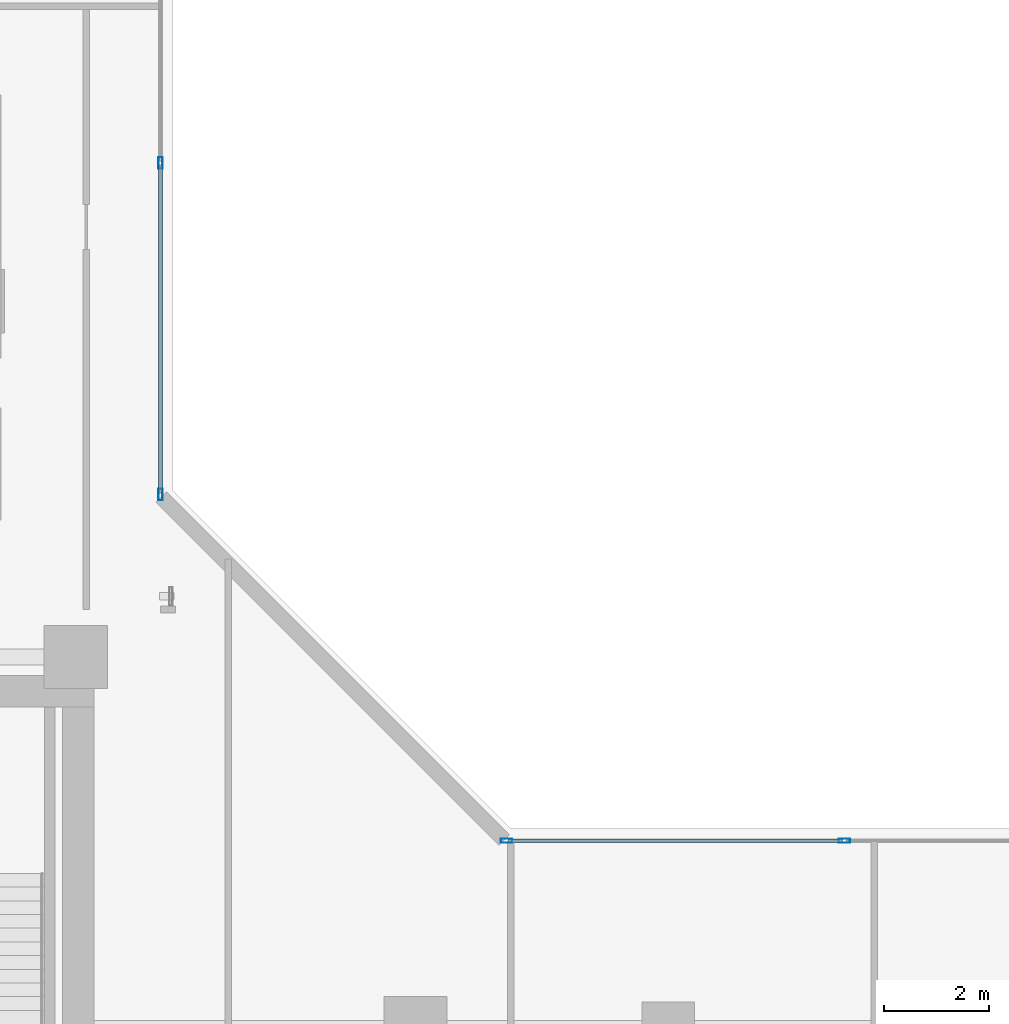
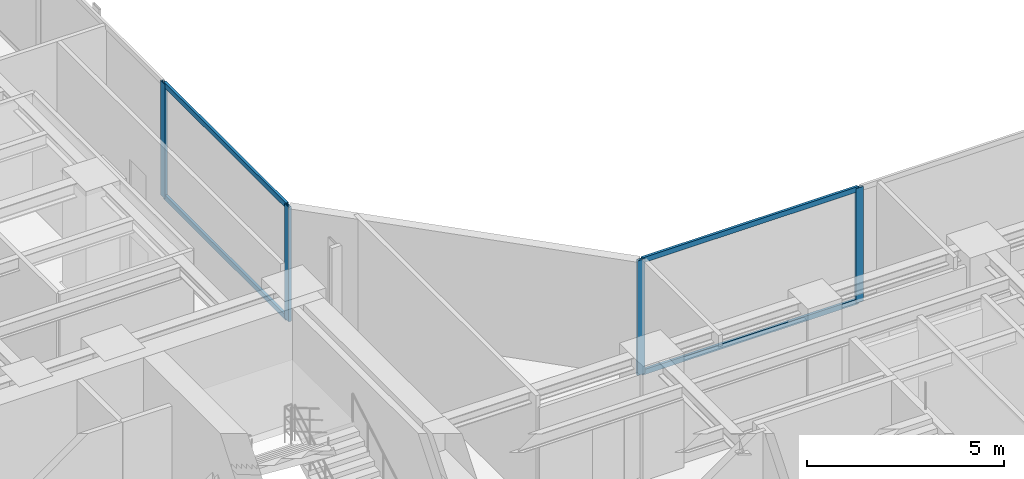
# One storey, part 9 of 23: 8 members, 2 elements without a shape of their own.
"""IFC4 building model written with IfcOpenShell, lengths in metres."""

import ifcopenshell
import ifcopenshell.guid

model = None  # the IFC model being written
_history = None  # IfcOwnerHistory: only IFC2X3 demands one
_inside = {}  # id of a spatial element -> (the spatial element, [elements in it])
_under = {}  # id of a project, library or spatial element -> (it, [spatial elements below it])
_declared = {}  # id of a project -> (the project, [libraries it declares])
_typed = {}  # id of a type object -> (the type object, [elements of that type])
_made_of = {}  # id of a material, layer set ... -> (it, [elements and type objects made of it])


def new_model(schema):
    """Start an empty IFC model of exactly this schema.

    Asked for "IFC4X3", IfcOpenShell would pick the latest addendum, in which some entities
    have other attributes; the version numbers below select the first issue.
    IFC2X3 requires an IfcOwnerHistory on every rooted entity: one is made here for all.
    """
    global model, _history
    if schema == "IFC4X3":
        model = ifcopenshell.file(schema_version=(4, 3, 0, 0))
    else:
        model = ifcopenshell.file(schema=schema)
    _inside.clear()
    _under.clear()
    _declared.clear()
    _typed.clear()
    _made_of.clear()
    _history = None
    if model.schema == "IFC2X3":
        org = make("IfcOrganization", Name="unknown")
        user = make(
            "IfcPersonAndOrganization",
            ThePerson=make("IfcPerson", FamilyName="unknown"),
            TheOrganization=org,
        )
        app = make(
            "IfcApplication",
            ApplicationDeveloper=org,
            Version="unknown",
            ApplicationFullName="unknown",
            ApplicationIdentifier="unknown",
        )
        _history = make(
            "IfcOwnerHistory",
            OwningUser=user,
            OwningApplication=app,
            ChangeAction="ADDED",
            CreationDate=0,
        )
    return model


def make(cls, **values):
    """One entity of the class cls with the attributes given. An attribute that is None is left unset."""
    return model.create_entity(
        cls, **{name: value for name, value in values.items() if value is not None}
    )


def rooted(cls, **values):
    """An entity with a GlobalId (a new one), such as an element, a storey or a relation."""
    return make(cls, GlobalId=ifcopenshell.guid.new(), OwnerHistory=_history, **values)


def si_unit(unit_type, name, prefix=None):
    """IfcSIUnit, for example si_unit("LENGTHUNIT", "METRE", prefix="MILLI")."""
    return make("IfcSIUnit", UnitType=unit_type, Prefix=prefix, Name=name)


def assignment(units):
    """IfcUnitAssignment: the units of a project."""
    return None if units is None else make("IfcUnitAssignment", Units=units)


def point(xyz):
    """IfcCartesianPoint."""
    return None if xyz is None else make("IfcCartesianPoint", Coordinates=xyz)


def direction(xyz):
    """IfcDirection."""
    return None if xyz is None else make("IfcDirection", DirectionRatios=xyz)


def frame(location, z_axis=None, x_axis=None):
    """IfcAxis2Placement3D, a coordinate frame: its origin and axes. An axis left out is left unset."""
    return make(
        "IfcAxis2Placement3D",
        Location=point(location),
        Axis=direction(z_axis),
        RefDirection=direction(x_axis),
    )


def frame_2d(location, x_axis=None):
    """IfcAxis2Placement2D, a coordinate frame in the plane: its origin and x axis."""
    return make(
        "IfcAxis2Placement2D", Location=point(location), RefDirection=direction(x_axis)
    )


def origin():
    """The frame at (0, 0, 0) with its axes left unset."""
    return frame((0.0, 0.0, 0.0))


def origin_with_axes():
    """The frame at (0, 0, 0) with the z axis (0, 0, 1) and the x axis (1, 0, 0) written out."""
    return frame((0.0, 0.0, 0.0), z_axis=(0.0, 0.0, 1.0), x_axis=(1.0, 0.0, 0.0))


def origin_2d():
    """The frame at (0, 0) in the plane with its x axis left unset."""
    return frame_2d((0.0, 0.0))


def place(relative_to, where):
    """IfcLocalPlacement: puts the frame where relative to a parent placement (None: the world)."""
    return make(
        "IfcLocalPlacement", PlacementRelTo=relative_to, RelativePlacement=where
    )


def context(
    kind, dimensions, precision=None, world=None, true_north=None, identifier=None
):
    """IfcGeometricRepresentationContext, for example the 3D "Model" context."""
    return make(
        "IfcGeometricRepresentationContext",
        ContextIdentifier=identifier,
        ContextType=kind,
        CoordinateSpaceDimension=dimensions,
        Precision=precision,
        WorldCoordinateSystem=world,
        TrueNorth=true_north,
    )


def subcontext(parent, identifier, kind, view, scale=None):
    """IfcGeometricRepresentationSubContext, for example "Body" below "Model"."""
    return make(
        "IfcGeometricRepresentationSubContext",
        ContextIdentifier=identifier,
        ContextType=kind,
        ParentContext=parent,
        TargetScale=scale,
        TargetView=view,
    )


def project(units=None, contexts=None):
    """IfcProject with its units and contexts."""
    return rooted(
        "IfcProject",
        Name="project",
        RepresentationContexts=contexts,
        UnitsInContext=assignment(units),
    )


def spatial(cls, under=None, at=None, **own):
    """A site, building, storey or space (cls), placed at a placement, below another one or the project."""
    s = rooted(cls, ObjectPlacement=at, **own)
    if under is not None:
        _under.setdefault(under.id(), (under, []))[1].append(s)
    return s


def profile(cls, at=None, kind="AREA", **sizes):
    """A parametric profile (cls). Its sizes go by their IFC names, for example OverallWidth=200.0."""
    return make(cls, ProfileType=kind, Position=at, **sizes)


def hollow_rectangle(**sizes):
    """IfcRectangleHollowProfileDef."""
    return profile("IfcRectangleHollowProfileDef", **sizes)


def extrude(swept, where, along, depth):
    """IfcExtrudedAreaSolid: the profile swept, set in the frame where, extruded along a direction by depth."""
    return make(
        "IfcExtrudedAreaSolid",
        SweptArea=swept,
        Position=where,
        ExtrudedDirection=direction(along),
        Depth=depth,
    )


def shape(context_of_items, identifier, shape_type, items):
    """IfcShapeRepresentation: the items that make up one representation, for example the "Body"."""
    return make(
        "IfcShapeRepresentation",
        ContextOfItems=context_of_items,
        RepresentationIdentifier=identifier,
        RepresentationType=shape_type,
        Items=items,
    )


def source(mapping_origin, context_of_items, identifier, shape_type, items):
    """IfcRepresentationMap: a shape defined once, which mapped items show again and again."""
    return make(
        "IfcRepresentationMap",
        MappingOrigin=mapping_origin,
        MappedRepresentation=shape(context_of_items, identifier, shape_type, items),
    )


def transform(
    local_origin,
    x_axis=None,
    y_axis=None,
    z_axis=None,
    scale=None,
    scale2=None,
    scale3=None,
    uniform=True,
):
    """IfcCartesianTransformationOperator3D, or its non-uniform kind. x_axis, y_axis, z_axis: its Axis1, 2, 3."""
    if uniform:
        return make(
            "IfcCartesianTransformationOperator3D",
            Axis1=direction(x_axis),
            Axis2=direction(y_axis),
            LocalOrigin=point(local_origin),
            Scale=scale,
            Axis3=direction(z_axis),
        )
    return make(
        "IfcCartesianTransformationOperator3DnonUniform",
        Axis1=direction(x_axis),
        Axis2=direction(y_axis),
        LocalOrigin=point(local_origin),
        Scale=scale,
        Axis3=direction(z_axis),
        Scale2=scale2,
        Scale3=scale3,
    )


def mapped(mapping_source, mapping_target):
    """IfcMappedItem: shows the shape of a source again, moved by a transform."""
    return make(
        "IfcMappedItem", MappingSource=mapping_source, MappingTarget=mapping_target
    )


def material(Name=None, Category=None):
    """IfcMaterial."""
    return make("IfcMaterial", Name=Name, Category=Category)


def layer(
    of_material, thickness, ventilated=None, Name=None, Category=None, Priority=None
):
    """IfcMaterialLayer: one layer of a wall or slab, of a material (None: an air gap)."""
    return make(
        "IfcMaterialLayer",
        Material=of_material,
        LayerThickness=thickness,
        IsVentilated=ventilated,
        Name=Name,
        Category=Category,
        Priority=Priority,
    )


def layer_set(layers, Name=None):
    """IfcMaterialLayerSet."""
    return make("IfcMaterialLayerSet", MaterialLayers=layers, LayerSetName=Name)


def material_profile(
    of_material, cross_section, Name=None, Category=None, Priority=None
):
    """IfcMaterialProfile: a cross section and its material."""
    return make(
        "IfcMaterialProfile",
        Name=Name,
        Material=of_material,
        Profile=cross_section,
        Priority=Priority,
        Category=Category,
    )


def profile_set(profiles, Name=None, composite=None):
    """IfcMaterialProfileSet."""
    return make(
        "IfcMaterialProfileSet",
        Name=Name,
        MaterialProfiles=profiles,
        CompositeProfile=composite,
    )


def made_of(thing, what):
    """Note that an element or type object is made of a material, layer set ...; save() writes the relation."""
    if what is not None:
        _made_of.setdefault(what.id(), (what, []))[1].append(thing)
    return thing


def type_object(cls, material=None, **own):
    """A type object (cls), such as IfcWallType, which elements share."""
    return made_of(rooted(cls, **own), material)


def element(
    cls,
    number,
    at=None,
    inside=None,
    cuts=None,
    type_object=None,
    material=None,
    context=None,
    identifier="Body",
    shape_type=None,
    held_by="IfcProductDefinitionShape",
    body=None,
    shapes=None,
    **own,
):
    """One element of the class cls, such as IfcWall. Its Tag is "e" and its number.

    at: its placement. inside: the storey or other place that contains it. cuts: it is an
    opening in that element (IfcRelVoidsElement). A single representation is given by context,
    identifier, shape_type and body (its items); several are given by shapes. held_by: the class
    of the entity that holds the representations. save() writes the other relations.
    """
    e = rooted(cls, Tag="e%d" % number, ObjectPlacement=at, **own)
    if body is not None:
        shapes = [shape(context, identifier, shape_type, body)]
    if shapes is not None:
        e.Representation = make(held_by, Representations=shapes)
    if inside is not None:
        _inside.setdefault(inside.id(), (inside, []))[1].append(e)
    if cuts is not None:
        rooted(
            "IfcRelVoidsElement", RelatingBuildingElement=cuts, RelatedOpeningElement=e
        )
    if type_object is not None:
        _typed.setdefault(type_object.id(), (type_object, []))[1].append(e)
    return made_of(e, material)


def aggregate(whole, parts):
    """IfcRelAggregates: a whole, such as a stair, and the parts it consists of."""
    return rooted("IfcRelAggregates", RelatingObject=whole, RelatedObjects=parts)


def save(model, path):
    """Write the relations noted so far, then the file.

    IfcRelAggregates (storeys below a building ...), IfcRelContainedInSpatialStructure (elements
    in a storey), IfcRelDefinesByType, IfcRelAssociatesMaterial and IfcRelDeclares: one each for
    every whole, place, type object, material and project.
    """
    for whole, parts in _under.values():
        aggregate(whole, parts)
    for where, things in _inside.values():
        rooted(
            "IfcRelContainedInSpatialStructure",
            RelatedElements=things,
            RelatingStructure=where,
        )
    for kind, things in _typed.values():
        rooted("IfcRelDefinesByType", RelatedObjects=things, RelatingType=kind)
    for what, things in _made_of.values():
        rooted("IfcRelAssociatesMaterial", RelatedObjects=things, RelatingMaterial=what)
    for by, libraries in _declared.values():
        rooted("IfcRelDeclares", RelatingContext=by, RelatedDefinitions=libraries)
    model.write(path)


model = new_model("IFC4")

# Units and contexts
model_context = context("Model", 3, precision=1e-05, world=origin(), true_north=direction((0.0, 1.0)))
body_context = subcontext(model_context, "Body", "Model", "MODEL_VIEW")
ifc_project = project(units=[si_unit("LENGTHUNIT", "METRE"), si_unit("AREAUNIT", "SQUARE_METRE"), si_unit("VOLUMEUNIT", "CUBIC_METRE"), si_unit("PLANEANGLEUNIT", "RADIAN"), si_unit("MASSUNIT", "GRAM", prefix="KILO")], contexts=[model_context])

# Site, building, storey
site_placement = place(None, origin())
site = spatial("IfcSite", under=ifc_project, at=site_placement, CompositionType="ELEMENT")
building_placement = place(site_placement, origin())
building = spatial("IfcBuilding", under=site, at=building_placement, Name="Kolvaren Waterfront Exchange", CompositionType="ELEMENT")
storey_placement = place(building_placement, frame((0.0, 0.0, 188.0)))
storey = spatial("IfcBuildingStorey", under=building, at=storey_placement, Name="L48", CompositionType="ELEMENT", Elevation=188.0)

# Curtain wall, members
ifc_material_1 = material(Name="Anodised bronze aluminium 6063-T6", Category="aluminium")
ifc_layer = layer(ifc_material_1, 0.219970703125, Name="Anodised bronze aluminium 6063-T6")
ifc_layer_set = layer_set([ifc_layer], Name="Anodised bronze aluminium 6063-T6")
curtain_wall_type = type_object("IfcCurtainWallType", Name="ARC-CW-SYS1", PredefinedType="USERDEFINED", material=ifc_layer_set)
curtain_wall_1_placement = place(storey_placement, origin())
curtain_wall_1 = element("IfcCurtainWall", 1, at=curtain_wall_1_placement, inside=storey, type_object=curtain_wall_type, Name="L48 stick curtain wall CW1 (CW-L48-NE)", ObjectType="STICK CURTAIN WALL", PredefinedType="USERDEFINED")
ifc_material_2 = material(Name="Anodised aluminium 6063-T6", Category="aluminium")
ifc_material_profile_1 = material_profile(ifc_material_2, hollow_rectangle(XDim=0.080078125, YDim=0.219970703125, WallThickness=0.0048828125, at=origin_2d()), Name="ALU-MUL-220x80x5")
ifc_profile_set_1 = profile_set([ifc_material_profile_1], Name="Anodised aluminium 6063-T6")
member_type_1 = type_object("IfcMemberType", Name="ARC-CWM-220", PredefinedType="MULLION", material=ifc_profile_set_1)
shared_shape_1 = source(origin_with_axes(), body_context, "Body", "SweptSolid", [
    extrude(hollow_rectangle(XDim=0.080078125, YDim=0.219970703125, WallThickness=0.0048828125, at=origin_2d()), origin(), (0.0, 0.0, 1.0), 3.56005859375),
])
member_1_placement = place(storey_placement, frame((22.360107421875, 27.530029296875, 0.0), z_axis=(0.0, 0.0, 1.0), x_axis=(-1.0, 0.0, 0.0)))
member_1 = element("IfcMember", 2, at=member_1_placement, type_object=member_type_1, Name="CW1 mullion 1", PredefinedType="MULLION", context=body_context, shape_type="MappedRepresentation", body=[
    mapped(shared_shape_1, transform((0.0, 0.0, 0.0), x_axis=(1.0, 0.0, 0.0), y_axis=(0.0, 1.0, 0.0), z_axis=(0.0, 0.0, 1.0), scale=1.0)),
])
member_2_placement = place(storey_placement, frame((22.360107421875, 33.82666015625, 0.0), z_axis=(0.0, 0.0, 1.0), x_axis=(-1.0, 0.0, 0.0)))
member_2 = element("IfcMember", 3, at=member_2_placement, type_object=member_type_1, Name="CW1 mullion 2", PredefinedType="MULLION", context=body_context, shape_type="MappedRepresentation", body=[
    mapped(shared_shape_1, transform((0.0, 0.0, 0.0), x_axis=(1.0, 0.0, 0.0), y_axis=(0.0, 1.0, 0.0), z_axis=(0.0, 0.0, 1.0), scale=1.0)),
])

curtain_wall_2_placement = place(storey_placement, origin())
curtain_wall_2 = element("IfcCurtainWall", 4, at=curtain_wall_2_placement, inside=storey, type_object=curtain_wall_type, Name="L48 stick curtain wall CW1 (CW-L48-EN)", ObjectType="STICK CURTAIN WALL", PredefinedType="USERDEFINED")
member_3_placement = place(storey_placement, frame((28.929931640625, 20.9599609375, 0.0), z_axis=(0.0, 0.0, 1.0), x_axis=(0.0, 1.0, 0.0)))
member_3 = element("IfcMember", 5, at=member_3_placement, type_object=member_type_1, Name="CW1 mullion 1", PredefinedType="MULLION", context=body_context, shape_type="MappedRepresentation", body=[
    mapped(shared_shape_1, transform((0.0, 0.0, 0.0), x_axis=(1.0, 0.0, 0.0), y_axis=(0.0, 1.0, 0.0), z_axis=(0.0, 0.0, 1.0), scale=1.0)),
])
member_4_placement = place(storey_placement, frame((35.342529296875, 20.9599609375, 0.0), z_axis=(0.0, 0.0, 1.0), x_axis=(0.0, 1.0, 0.0)))
member_4 = element("IfcMember", 6, at=member_4_placement, type_object=member_type_1, Name="CW1 mullion 2", PredefinedType="MULLION", context=body_context, shape_type="MappedRepresentation", body=[
    mapped(shared_shape_1, transform((0.0, 0.0, 0.0), x_axis=(1.0, 0.0, 0.0), y_axis=(0.0, 1.0, 0.0), z_axis=(0.0, 0.0, 1.0), scale=1.0)),
])

# Member
ifc_material_profile_2 = material_profile(ifc_material_2, hollow_rectangle(XDim=0.074951171875, YDim=0.159912109375, WallThickness=0.00439453125, at=origin_2d()), Name="ALU-TRN-160x75x4.5")
ifc_profile_set_2 = profile_set([ifc_material_profile_2], Name="Anodised aluminium 6063-T6")
member_type_2 = type_object("IfcMemberType", Name="ARC-CWT-160", PredefinedType="USERDEFINED", material=ifc_profile_set_2)
shared_shape_2 = source(origin_with_axes(), body_context, "Body", "SweptSolid", [
    extrude(hollow_rectangle(XDim=0.074951171875, YDim=0.159912109375, WallThickness=0.00439453125, at=origin_2d()), origin(), (0.0, 0.0, 1.0), 6.216552734375),
])
member_5_placement = place(storey_placement, frame((22.360107421875, 27.570068359375, 0.03759765625), z_axis=(0.0, 1.0, 0.0), x_axis=(-1.0, 0.0, 0.0)))
member_5 = element("IfcMember", 7, at=member_5_placement, type_object=member_type_2, Name="CW1 transom 1.1", ObjectType="TRANSOM", PredefinedType="USERDEFINED", context=body_context, shape_type="MappedRepresentation", body=[
    mapped(shared_shape_2, transform((0.0, 0.0, 0.0), x_axis=(1.0, 0.0, 0.0), y_axis=(0.0, 1.0, 0.0), z_axis=(0.0, 0.0, 1.0), scale=1.0)),
])

member_6_placement = place(storey_placement, frame((22.360107421875, 27.570068359375, 3.5224609375), z_axis=(0.0, 1.0, 0.0), x_axis=(-1.0, 0.0, 0.0)))
member_6 = element("IfcMember", 8, at=member_6_placement, type_object=member_type_2, Name="CW1 transom 1.2", ObjectType="TRANSOM", PredefinedType="USERDEFINED", context=body_context, shape_type="MappedRepresentation", body=[
    mapped(shared_shape_2, transform((0.0, 0.0, 0.0), x_axis=(1.0, 0.0, 0.0), y_axis=(0.0, 1.0, 0.0), z_axis=(0.0, 0.0, 1.0), scale=1.0)),
])

aggregate(curtain_wall_1, [member_1, member_2, member_5, member_6])

shared_shape_3 = source(origin_with_axes(), body_context, "Body", "SweptSolid", [
    extrude(hollow_rectangle(XDim=0.074951171875, YDim=0.159912109375, WallThickness=0.00439453125, at=origin_2d()), origin(), (0.0, 0.0, 1.0), 6.33251953125),
])
member_7_placement = place(storey_placement, frame((28.969970703125, 20.9599609375, 0.03759765625), z_axis=(1.0, 0.0, 0.0), x_axis=(0.0, 1.0, 0.0)))
member_7 = element("IfcMember", 9, at=member_7_placement, type_object=member_type_2, Name="CW1 transom 1.1", ObjectType="TRANSOM", PredefinedType="USERDEFINED", context=body_context, shape_type="MappedRepresentation", body=[
    mapped(shared_shape_3, transform((0.0, 0.0, 0.0), x_axis=(1.0, 0.0, 0.0), y_axis=(0.0, 1.0, 0.0), z_axis=(0.0, 0.0, 1.0), scale=1.0)),
])

member_8_placement = place(storey_placement, frame((28.969970703125, 20.9599609375, 3.5224609375), z_axis=(1.0, 0.0, 0.0), x_axis=(0.0, 1.0, 0.0)))
member_8 = element("IfcMember", 10, at=member_8_placement, type_object=member_type_2, Name="CW1 transom 1.2", ObjectType="TRANSOM", PredefinedType="USERDEFINED", context=body_context, shape_type="MappedRepresentation", body=[
    mapped(shared_shape_3, transform((0.0, 0.0, 0.0), x_axis=(1.0, 0.0, 0.0), y_axis=(0.0, 1.0, 0.0), z_axis=(0.0, 0.0, 1.0), scale=1.0)),
])

aggregate(curtain_wall_2, [member_3, member_4, member_7, member_8])

save(model, "model.ifc")
